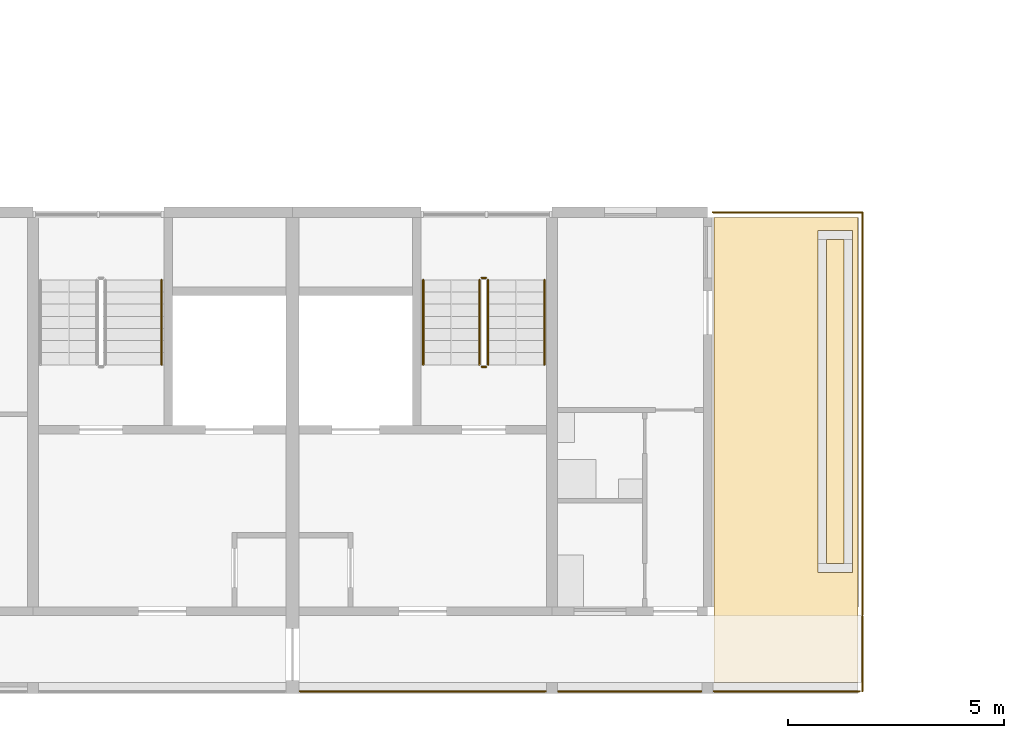
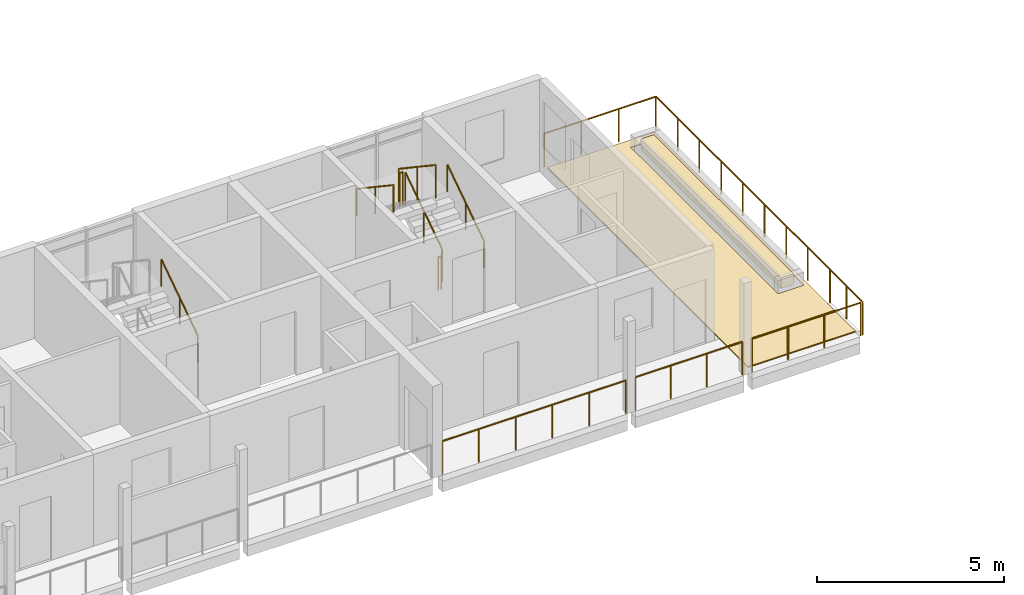
# One storey, part 46 of 55: 12 railings, 3 coverings.
"""IFC4 building model written with IfcOpenShell, lengths in metres."""

import ifcopenshell
import ifcopenshell.guid

model = None  # the IFC model being written
_history = None  # IfcOwnerHistory: only IFC2X3 demands one
_inside = {}  # id of a spatial element -> (the spatial element, [elements in it])
_under = {}  # id of a project, library or spatial element -> (it, [spatial elements below it])
_declared = {}  # id of a project -> (the project, [libraries it declares])
_typed = {}  # id of a type object -> (the type object, [elements of that type])
_made_of = {}  # id of a material, layer set ... -> (it, [elements and type objects made of it])


def new_model(schema):
    """Start an empty IFC model of exactly this schema.

    Asked for "IFC4X3", IfcOpenShell would pick the latest addendum, in which some entities
    have other attributes; the version numbers below select the first issue.
    IFC2X3 requires an IfcOwnerHistory on every rooted entity: one is made here for all.
    """
    global model, _history
    if schema == "IFC4X3":
        model = ifcopenshell.file(schema_version=(4, 3, 0, 0))
    else:
        model = ifcopenshell.file(schema=schema)
    _inside.clear()
    _under.clear()
    _declared.clear()
    _typed.clear()
    _made_of.clear()
    _history = None
    if model.schema == "IFC2X3":
        org = make("IfcOrganization", Name="unknown")
        user = make(
            "IfcPersonAndOrganization",
            ThePerson=make("IfcPerson", FamilyName="unknown"),
            TheOrganization=org,
        )
        app = make(
            "IfcApplication",
            ApplicationDeveloper=org,
            Version="unknown",
            ApplicationFullName="unknown",
            ApplicationIdentifier="unknown",
        )
        _history = make(
            "IfcOwnerHistory",
            OwningUser=user,
            OwningApplication=app,
            ChangeAction="ADDED",
            CreationDate=0,
        )
    return model


def make(cls, **values):
    """One entity of the class cls with the attributes given. An attribute that is None is left unset."""
    return model.create_entity(
        cls, **{name: value for name, value in values.items() if value is not None}
    )


def rooted(cls, **values):
    """An entity with a GlobalId (a new one), such as an element, a storey or a relation."""
    return make(cls, GlobalId=ifcopenshell.guid.new(), OwnerHistory=_history, **values)


def si_unit(unit_type, name, prefix=None):
    """IfcSIUnit, for example si_unit("LENGTHUNIT", "METRE", prefix="MILLI")."""
    return make("IfcSIUnit", UnitType=unit_type, Prefix=prefix, Name=name)


def assignment(units):
    """IfcUnitAssignment: the units of a project."""
    return None if units is None else make("IfcUnitAssignment", Units=units)


def point(xyz):
    """IfcCartesianPoint."""
    return None if xyz is None else make("IfcCartesianPoint", Coordinates=xyz)


def direction(xyz):
    """IfcDirection."""
    return None if xyz is None else make("IfcDirection", DirectionRatios=xyz)


def frame(location, z_axis=None, x_axis=None):
    """IfcAxis2Placement3D, a coordinate frame: its origin and axes. An axis left out is left unset."""
    return make(
        "IfcAxis2Placement3D",
        Location=point(location),
        Axis=direction(z_axis),
        RefDirection=direction(x_axis),
    )


def frame_2d(location, x_axis=None):
    """IfcAxis2Placement2D, a coordinate frame in the plane: its origin and x axis."""
    return make(
        "IfcAxis2Placement2D", Location=point(location), RefDirection=direction(x_axis)
    )


def origin():
    """The frame at (0, 0, 0) with its axes left unset."""
    return frame((0.0, 0.0, 0.0))


def origin_2d():
    """The frame at (0, 0) in the plane with its x axis left unset."""
    return frame_2d((0.0, 0.0))


def place(relative_to, where):
    """IfcLocalPlacement: puts the frame where relative to a parent placement (None: the world)."""
    return make(
        "IfcLocalPlacement", PlacementRelTo=relative_to, RelativePlacement=where
    )


def context(
    kind, dimensions, precision=None, world=None, true_north=None, identifier=None
):
    """IfcGeometricRepresentationContext, for example the 3D "Model" context."""
    return make(
        "IfcGeometricRepresentationContext",
        ContextIdentifier=identifier,
        ContextType=kind,
        CoordinateSpaceDimension=dimensions,
        Precision=precision,
        WorldCoordinateSystem=world,
        TrueNorth=true_north,
    )


def subcontext(parent, identifier, kind, view, scale=None):
    """IfcGeometricRepresentationSubContext, for example "Body" below "Model"."""
    return make(
        "IfcGeometricRepresentationSubContext",
        ContextIdentifier=identifier,
        ContextType=kind,
        ParentContext=parent,
        TargetScale=scale,
        TargetView=view,
    )


def project(units=None, contexts=None):
    """IfcProject with its units and contexts."""
    return rooted(
        "IfcProject",
        Name="project",
        RepresentationContexts=contexts,
        UnitsInContext=assignment(units),
    )


def spatial(cls, under=None, at=None, **own):
    """A site, building, storey or space (cls), placed at a placement, below another one or the project."""
    s = rooted(cls, ObjectPlacement=at, **own)
    if under is not None:
        _under.setdefault(under.id(), (under, []))[1].append(s)
    return s


def polyline(points):
    """IfcPolyline through the points."""
    return make("IfcPolyline", Points=[point(p) for p in points])


def profile(cls, at=None, kind="AREA", **sizes):
    """A parametric profile (cls). Its sizes go by their IFC names, for example OverallWidth=200.0."""
    return make(cls, ProfileType=kind, Position=at, **sizes)


def circle(**sizes):
    """IfcCircleProfileDef."""
    return profile("IfcCircleProfileDef", **sizes)


def outline(outer, holes=None, kind="AREA"):
    """IfcArbitraryClosedProfileDef: a profile drawn as a closed curve; with holes, ...WithVoids."""
    if holes is None:
        return make("IfcArbitraryClosedProfileDef", ProfileType=kind, OuterCurve=outer)
    return make(
        "IfcArbitraryProfileDefWithVoids",
        ProfileType=kind,
        OuterCurve=outer,
        InnerCurves=holes,
    )


def extrude(swept, where, along, depth):
    """IfcExtrudedAreaSolid: the profile swept, set in the frame where, extruded along a direction by depth."""
    return make(
        "IfcExtrudedAreaSolid",
        SweptArea=swept,
        Position=where,
        ExtrudedDirection=direction(along),
        Depth=depth,
    )


def shape(context_of_items, identifier, shape_type, items):
    """IfcShapeRepresentation: the items that make up one representation, for example the "Body"."""
    return make(
        "IfcShapeRepresentation",
        ContextOfItems=context_of_items,
        RepresentationIdentifier=identifier,
        RepresentationType=shape_type,
        Items=items,
    )


def material(Name=None, Category=None):
    """IfcMaterial."""
    return make("IfcMaterial", Name=Name, Category=Category)


def layer(
    of_material, thickness, ventilated=None, Name=None, Category=None, Priority=None
):
    """IfcMaterialLayer: one layer of a wall or slab, of a material (None: an air gap)."""
    return make(
        "IfcMaterialLayer",
        Material=of_material,
        LayerThickness=thickness,
        IsVentilated=ventilated,
        Name=Name,
        Category=Category,
        Priority=Priority,
    )


def layer_set(layers, Name=None):
    """IfcMaterialLayerSet."""
    return make("IfcMaterialLayerSet", MaterialLayers=layers, LayerSetName=Name)


def made_of(thing, what):
    """Note that an element or type object is made of a material, layer set ...; save() writes the relation."""
    if what is not None:
        _made_of.setdefault(what.id(), (what, []))[1].append(thing)
    return thing


def type_object(cls, material=None, **own):
    """A type object (cls), such as IfcWallType, which elements share."""
    return made_of(rooted(cls, **own), material)


def element(
    cls,
    number,
    at=None,
    inside=None,
    cuts=None,
    type_object=None,
    material=None,
    context=None,
    identifier="Body",
    shape_type=None,
    held_by="IfcProductDefinitionShape",
    body=None,
    shapes=None,
    **own,
):
    """One element of the class cls, such as IfcWall. Its Tag is "e" and its number.

    at: its placement. inside: the storey or other place that contains it. cuts: it is an
    opening in that element (IfcRelVoidsElement). A single representation is given by context,
    identifier, shape_type and body (its items); several are given by shapes. held_by: the class
    of the entity that holds the representations. save() writes the other relations.
    """
    e = rooted(cls, Tag="e%d" % number, ObjectPlacement=at, **own)
    if body is not None:
        shapes = [shape(context, identifier, shape_type, body)]
    if shapes is not None:
        e.Representation = make(held_by, Representations=shapes)
    if inside is not None:
        _inside.setdefault(inside.id(), (inside, []))[1].append(e)
    if cuts is not None:
        rooted(
            "IfcRelVoidsElement", RelatingBuildingElement=cuts, RelatedOpeningElement=e
        )
    if type_object is not None:
        _typed.setdefault(type_object.id(), (type_object, []))[1].append(e)
    return made_of(e, material)


def aggregate(whole, parts):
    """IfcRelAggregates: a whole, such as a stair, and the parts it consists of."""
    return rooted("IfcRelAggregates", RelatingObject=whole, RelatedObjects=parts)


def save(model, path):
    """Write the relations noted so far, then the file.

    IfcRelAggregates (storeys below a building ...), IfcRelContainedInSpatialStructure (elements
    in a storey), IfcRelDefinesByType, IfcRelAssociatesMaterial and IfcRelDeclares: one each for
    every whole, place, type object, material and project.
    """
    for whole, parts in _under.values():
        aggregate(whole, parts)
    for where, things in _inside.values():
        rooted(
            "IfcRelContainedInSpatialStructure",
            RelatedElements=things,
            RelatingStructure=where,
        )
    for kind, things in _typed.values():
        rooted("IfcRelDefinesByType", RelatedObjects=things, RelatingType=kind)
    for what, things in _made_of.values():
        rooted("IfcRelAssociatesMaterial", RelatedObjects=things, RelatingMaterial=what)
    for by, libraries in _declared.values():
        rooted("IfcRelDeclares", RelatingContext=by, RelatedDefinitions=libraries)
    model.write(path)


model = new_model("IFC4")

# Units and contexts
model_context = context("Model", 3, precision=1e-05, world=origin(), true_north=direction((0.0, 1.0)))
body_context = subcontext(model_context, "Body", "Model", "MODEL_VIEW")
ifc_project = project(units=[si_unit("LENGTHUNIT", "METRE"), si_unit("AREAUNIT", "SQUARE_METRE"), si_unit("VOLUMEUNIT", "CUBIC_METRE"), si_unit("PLANEANGLEUNIT", "RADIAN"), si_unit("MASSUNIT", "GRAM", prefix="KILO")], contexts=[model_context])

# Site, building, storey
site_placement = place(None, origin())
site = spatial("IfcSite", under=ifc_project, at=site_placement, CompositionType="ELEMENT")
building_placement = place(site_placement, origin())
building = spatial("IfcBuilding", under=site, at=building_placement, Name="Ridgestep Commons", CompositionType="ELEMENT")
storey_placement = place(building_placement, frame((0.0, 0.0, 36.0)))
storey = spatial("IfcBuildingStorey", under=building, at=storey_placement, Name="L12", CompositionType="ELEMENT", Elevation=36.0)

# Railings
ifc_material_1 = material(Name="Structural steel S355JR", Category="steel")
railing_type_1 = type_object("IfcRailingType", Name="Guard 1100", PredefinedType="GUARDRAIL", material=ifc_material_1)
railing_1_placement = place(storey_placement, frame((109.178955078125, 13.571044921875, 0.0)))
element("IfcRailing", 1, at=railing_1_placement, inside=storey, type_object=railing_type_1, Name="Guard TD-A6R2-GD", PredefinedType="GUARDRAIL", context=body_context, shape_type="SweptSolid", body=[
    extrude(circle(Radius=0.02392578125, at=origin_2d()), frame((0.0, 0.0, 1.076171875), z_axis=(0.0, 1.0, 0.0), x_axis=(-1.0, 0.0, 0.0)), (0.0, 0.0, 1.0), 9.303955078125),
    extrude(circle(Radius=0.02392578125, at=origin_2d()), frame((0.0, 9.303955078125, 1.076171875), z_axis=(-1.0, 0.0, 0.0), x_axis=(0.0, -1.0, 0.0)), (0.0, 0.0, 1.0), 3.4580078125),
    extrude(circle(Radius=0.02099609375, at=origin_2d()), origin(), (0.0, 0.0, 1.0), 1.052001953125),
    extrude(circle(Radius=0.02099609375, at=origin_2d()), frame((0.0, 1.1630859375, 0.0)), (0.0, 0.0, 1.0), 1.052001953125),
    extrude(circle(Radius=0.02099609375, at=origin_2d()), frame((0.0, 2.325927734375, 0.0)), (0.0, 0.0, 1.0), 1.052001953125),
    extrude(circle(Radius=0.02099609375, at=origin_2d()), frame((0.0, 3.489013671875, 0.0)), (0.0, 0.0, 1.0), 1.052001953125),
    extrude(circle(Radius=0.02099609375, at=origin_2d()), frame((0.0, 4.65185546875, 0.0)), (0.0, 0.0, 1.0), 1.052001953125),
    extrude(circle(Radius=0.02099609375, at=origin_2d()), frame((0.0, 5.81494140625, 0.0)), (0.0, 0.0, 1.0), 1.052001953125),
    extrude(circle(Radius=0.02099609375, at=origin_2d()), frame((0.0, 6.97802734375, 0.0)), (0.0, 0.0, 1.0), 1.052001953125),
    extrude(circle(Radius=0.02099609375, at=origin_2d()), frame((0.0, 8.140869140625, 0.0)), (0.0, 0.0, 1.0), 1.052001953125),
    extrude(circle(Radius=0.02099609375, at=origin_2d()), frame((0.0, 9.303955078125, 0.0)), (0.0, 0.0, 1.0), 1.052001953125),
    extrude(circle(Radius=0.02099609375, at=origin_2d()), frame((-1.152587890625, 9.303955078125, 0.0)), (0.0, 0.0, 1.0), 1.052001953125),
    extrude(circle(Radius=0.02099609375, at=origin_2d()), frame((-2.305419921875, 9.303955078125, 0.0)), (0.0, 0.0, 1.0), 1.052001953125),
    extrude(circle(Radius=0.02099609375, at=origin_2d()), frame((-3.4580078125, 9.303955078125, 0.0)), (0.0, 0.0, 1.0), 1.052001953125),
])
railing_2_placement = place(storey_placement, frame((96.1708984375, 11.800048828125, 0.0)))
element("IfcRailing", 2, at=railing_2_placement, inside=storey, type_object=railing_type_1, Name="Gallery guard A 12.7", PredefinedType="GUARDRAIL", context=body_context, shape_type="SweptSolid", body=[
    extrude(circle(Radius=0.02392578125, at=origin_2d()), frame((0.0, 0.0, 1.076171875), z_axis=(1.0, 0.0, 0.0), x_axis=(0.0, 1.0, 0.0)), (0.0, 0.0, 1.0), 5.68310546875),
    extrude(circle(Radius=0.02099609375, at=origin_2d()), origin(), (0.0, 0.0, 1.0), 1.052001953125),
    extrude(circle(Radius=0.02099609375, at=origin_2d()), frame((1.13671875, 0.0, 0.0)), (0.0, 0.0, 1.0), 1.052001953125),
    extrude(circle(Radius=0.02099609375, at=origin_2d()), frame((2.273193359375, 0.0, 0.0)), (0.0, 0.0, 1.0), 1.052001953125),
    extrude(circle(Radius=0.02099609375, at=origin_2d()), frame((3.409912109375, 0.0, 0.0)), (0.0, 0.0, 1.0), 1.052001953125),
    extrude(circle(Radius=0.02099609375, at=origin_2d()), frame((4.54638671875, 0.0, 0.0)), (0.0, 0.0, 1.0), 1.052001953125),
    extrude(circle(Radius=0.02099609375, at=origin_2d()), frame((5.68310546875, 0.0, 0.0)), (0.0, 0.0, 1.0), 1.052001953125),
])
railing_3_placement = place(storey_placement, frame((102.14599609375, 11.800048828125, 0.0)))
element("IfcRailing", 3, at=railing_3_placement, inside=storey, type_object=railing_type_1, Name="Gallery guard A 12.8", PredefinedType="GUARDRAIL", context=body_context, shape_type="SweptSolid", body=[
    extrude(circle(Radius=0.02392578125, at=origin_2d()), frame((0.0, 0.0, 1.076171875), z_axis=(1.0, 0.0, 0.0), x_axis=(0.0, 1.0, 0.0)), (0.0, 0.0, 1.0), 3.30810546875),
    extrude(circle(Radius=0.02099609375, at=origin_2d()), origin(), (0.0, 0.0, 1.0), 1.052001953125),
    extrude(circle(Radius=0.02099609375, at=origin_2d()), frame((1.102783203125, 0.0, 0.0)), (0.0, 0.0, 1.0), 1.052001953125),
    extrude(circle(Radius=0.02099609375, at=origin_2d()), frame((2.205322265625, 0.0, 0.0)), (0.0, 0.0, 1.0), 1.052001953125),
    extrude(circle(Radius=0.02099609375, at=origin_2d()), frame((3.30810546875, 0.0, 0.0)), (0.0, 0.0, 1.0), 1.052001953125),
])
railing_4_placement = place(storey_placement, frame((105.74609375, 11.800048828125, 0.0)))
element("IfcRailing", 4, at=railing_4_placement, inside=storey, type_object=railing_type_1, Name="Gallery guard A 12.9", PredefinedType="GUARDRAIL", context=body_context, shape_type="SweptSolid", body=[
    extrude(circle(Radius=0.02392578125, at=origin_2d()), frame((0.0, 0.0, 1.076171875), z_axis=(1.0, 0.0, 0.0), x_axis=(0.0, 1.0, 0.0)), (0.0, 0.0, 1.0), 3.369873046875),
    extrude(circle(Radius=0.02099609375, at=origin_2d()), origin(), (0.0, 0.0, 1.0), 1.052001953125),
    extrude(circle(Radius=0.02099609375, at=origin_2d()), frame((1.123291015625, 0.0, 0.0)), (0.0, 0.0, 1.0), 1.052001953125),
    extrude(circle(Radius=0.02099609375, at=origin_2d()), frame((2.24658203125, 0.0, 0.0)), (0.0, 0.0, 1.0), 1.052001953125),
    extrude(circle(Radius=0.02099609375, at=origin_2d()), frame((3.369873046875, 0.0, 0.0)), (0.0, 0.0, 1.0), 1.052001953125),
])
railing_5_placement = place(storey_placement, frame((109.178955078125, 11.800048828125, 0.0)))
element("IfcRailing", 5, at=railing_5_placement, inside=storey, type_object=railing_type_1, Name="Gallery end guard A 12.9E", PredefinedType="GUARDRAIL", context=body_context, shape_type="SweptSolid", body=[
    extrude(circle(Radius=0.02392578125, at=origin_2d()), frame((0.0, 0.0, 1.076171875), z_axis=(0.0, 1.0, 0.0), x_axis=(-1.0, 0.0, 0.0)), (0.0, 0.0, 1.0), 1.72900390625),
    extrude(circle(Radius=0.02099609375, at=origin_2d()), origin(), (0.0, 0.0, 1.0), 1.052001953125),
    extrude(circle(Radius=0.02099609375, at=origin_2d()), frame((0.0, 0.864501953125, 0.0)), (0.0, 0.0, 1.0), 1.052001953125),
    extrude(circle(Radius=0.02099609375, at=origin_2d()), frame((0.0, 1.72900390625, 0.0)), (0.0, 0.0, 1.0), 1.052001953125),
])

# Covering
ifc_material_2 = material(Name="Planting soil")
ifc_layer_1 = layer(ifc_material_2, 0.35009765625)
ifc_layer_set_1 = layer_set([ifc_layer_1], Name="Planting soil 350")
covering_type_1 = type_object("IfcCoveringType", Name="Planting soil 350", PredefinedType="FLOORING", material=ifc_layer_set_1)
covering_1_placement = place(storey_placement, frame((0.0, 0.0, 0.010009765625)))
element("IfcCovering", 6, at=covering_1_placement, inside=storey, type_object=covering_type_1, Name="Planting soil A6R2", PredefinedType="FLOORING", context=body_context, shape_type="SweptSolid", body=[
    extrude(outline(polyline([(108.35009765625, 14.75), (108.75, 14.75), (108.75, 22.25), (108.35009765625, 22.25), (108.35009765625, 14.75)])), origin(), (0.0, 0.0, 1.0), 0.35009765625),
])

# Railings
ifc_material_3 = material(Name="Structural steel S355JR", Category="steel")
railing_type_2 = type_object("IfcRailingType", Name="Stair guard 1100", PredefinedType="GUARDRAIL", material=ifc_material_3)
railing_6_placement = place(storey_placement, frame((100.52490234375, 19.35009765625, 0.1875)))
element("IfcRailing", 7, at=railing_6_placement, inside=storey, type_object=railing_type_2, Name="L12 A6C stair guard 1", PredefinedType="GUARDRAIL", context=body_context, shape_type="SweptSolid", body=[
    extrude(circle(Radius=0.02392578125, at=origin_2d()), frame((0.0, 0.0, 1.076171875), z_axis=(0.0, 0.830902050051, 0.556418712142), x_axis=(-1.0, 0.0, 0.0)), (0.0, 0.0, 1.0), 2.35888671875),
    extrude(circle(Radius=0.02099609375, at=origin_2d()), origin(), (0.0, 0.0, 1.0), 1.052001953125),
    extrude(circle(Radius=0.02099609375, at=origin_2d()), frame((0.0, 0.97998046875, 0.65625)), (0.0, 0.0, 1.0), 1.052001953125),
    extrude(circle(Radius=0.02099609375, at=origin_2d()), frame((0.0, 1.9599609375, 1.3125)), (0.0, 0.0, 1.0), 1.052001953125),
])
railing_7_placement = place(storey_placement, frame((100.47509765625, 21.360107421875, 1.5)))
element("IfcRailing", 8, at=railing_7_placement, inside=storey, type_object=railing_type_2, Name="L12 A6C stair guard 2", PredefinedType="GUARDRAIL", context=body_context, shape_type="SweptSolid", body=[
    extrude(circle(Radius=0.02392578125, at=origin_2d()), frame((0.0, 0.0, 1.076171875), z_axis=(-1.0, 0.0, 0.0), x_axis=(0.0, -1.0, 0.0)), (0.0, 0.0, 1.0), 0.10009765625),
    extrude(circle(Radius=0.02099609375, at=origin_2d()), origin(), (0.0, 0.0, 1.0), 1.052001953125),
    extrude(circle(Radius=0.02099609375, at=origin_2d()), frame((-0.10009765625, 0.0, 0.0)), (0.0, 0.0, 1.0), 1.052001953125),
])
railing_8_placement = place(storey_placement, frame((100.324951171875, 21.31005859375, 1.6875)))
element("IfcRailing", 9, at=railing_8_placement, inside=storey, type_object=railing_type_2, Name="L12 A6C stair guard 3", PredefinedType="GUARDRAIL", context=body_context, shape_type="SweptSolid", body=[
    extrude(circle(Radius=0.02392578125, at=origin_2d()), frame((0.0, 0.0, 1.076171875), z_axis=(0.0, -0.830902050051, 0.556418712142), x_axis=(1.0, 0.0, 0.0)), (0.0, 0.0, 1.0), 2.35888671875),
    extrude(circle(Radius=0.02099609375, at=origin_2d()), origin(), (0.0, 0.0, 1.0), 1.052001953125),
    extrude(circle(Radius=0.02099609375, at=origin_2d()), frame((0.0, -0.97998046875, 0.65625)), (0.0, 0.0, 1.0), 1.052001953125),
    extrude(circle(Radius=0.02099609375, at=origin_2d()), frame((0.0, -1.9599609375, 1.3125)), (0.0, 0.0, 1.0), 1.052001953125),
])
railing_9_placement = place(storey_placement, frame((100.47509765625, 19.300048828125, 0.0)))
element("IfcRailing", 10, at=railing_9_placement, inside=storey, type_object=railing_type_2, Name="L12 A6C stair guard 4", PredefinedType="GUARDRAIL", context=body_context, shape_type="SweptSolid", body=[
    extrude(circle(Radius=0.02392578125, at=origin_2d()), frame((0.0, 0.0, 1.076171875), z_axis=(-1.0, 0.0, 0.0), x_axis=(0.0, -1.0, 0.0)), (0.0, 0.0, 1.0), 0.10009765625),
    extrude(circle(Radius=0.02099609375, at=origin_2d()), origin(), (0.0, 0.0, 1.0), 1.052001953125),
    extrude(circle(Radius=0.02099609375, at=origin_2d()), frame((-0.10009765625, 0.0, 0.0)), (0.0, 0.0, 1.0), 1.052001953125),
])
ifc_material_4 = material(Name="Structural steel S355JR", Category="steel")
railing_type_3 = type_object("IfcRailingType", Name="Stair handrail 900", PredefinedType="HANDRAIL", material=ifc_material_4)
for number, where, name in (
    (11, (92.97509765625, 19.35009765625, 0.1875), "L12 A5C stair handrail 1"),
    (12, (101.824951171875, 19.35009765625, 0.1875), "L12 A6C stair handrail 1"),
):
    element("IfcRailing", number, at=place(storey_placement, frame(where)), inside=storey, type_object=railing_type_3, Name=name, PredefinedType="HANDRAIL", context=body_context, shape_type="SweptSolid", body=[
        extrude(circle(Radius=0.02392578125, at=origin_2d()), frame((0.0, 0.0, 0.8759765625), z_axis=(0.0, 0.830902050051, 0.556418712142), x_axis=(-1.0, 0.0, 0.0)), (0.0, 0.0, 1.0), 2.35888671875),
        extrude(circle(Radius=0.02099609375, at=origin_2d()), origin(), (0.0, 0.0, 1.0), 0.851806640625),
        extrude(circle(Radius=0.02099609375, at=origin_2d()), frame((0.0, 0.97998046875, 0.65625)), (0.0, 0.0, 1.0), 0.851806640625),
        extrude(circle(Radius=0.02099609375, at=origin_2d()), frame((0.0, 1.9599609375, 1.3125)), (0.0, 0.0, 1.0), 0.851806640625),
    ])
railing_10_placement = place(storey_placement, frame((99.02490234375, 21.31005859375, 1.6875)))
element("IfcRailing", 13, at=railing_10_placement, inside=storey, type_object=railing_type_3, Name="L12 A6C stair handrail 2", PredefinedType="HANDRAIL", context=body_context, shape_type="SweptSolid", body=[
    extrude(circle(Radius=0.02392578125, at=origin_2d()), frame((0.0, 0.0, 0.8759765625), z_axis=(0.0, -0.830902050051, 0.556418712142), x_axis=(1.0, 0.0, 0.0)), (0.0, 0.0, 1.0), 2.35888671875),
    extrude(circle(Radius=0.02099609375, at=origin_2d()), origin(), (0.0, 0.0, 1.0), 0.851806640625),
    extrude(circle(Radius=0.02099609375, at=origin_2d()), frame((0.0, -0.97998046875, 0.65625)), (0.0, 0.0, 1.0), 0.851806640625),
    extrude(circle(Radius=0.02099609375, at=origin_2d()), frame((0.0, -1.9599609375, 1.3125)), (0.0, 0.0, 1.0), 0.851806640625),
])

# Coverings
ifc_material_5 = material(Name="Bitumen membrane, two layer")
ifc_layer_2 = layer(ifc_material_5, 0.010009765625)
ifc_layer_set_2 = layer_set([ifc_layer_2], Name="Terrace membrane 10")
covering_type_2 = type_object("IfcCoveringType", Name="Terrace membrane 10", PredefinedType="ROOFING", material=ifc_layer_set_2)
covering_2_placement = place(storey_placement, origin())
element("IfcCovering", 14, at=covering_2_placement, inside=storey, type_object=covering_type_2, Name="Terrace membrane A6R2", PredefinedType="ROOFING", context=body_context, shape_type="SweptSolid", body=[
    extrude(outline(polyline([(109.074951171875, 12.0), (109.074951171875, 22.75), (105.75, 22.75), (105.75, 12.0), (109.074951171875, 12.0)]), holes=[polyline([(108.949951171875, 14.550048828125), (108.949951171875, 22.449951171875), (108.14990234375, 22.449951171875), (108.14990234375, 14.550048828125), (108.949951171875, 14.550048828125)])]), origin(), (0.0, 0.0, 1.0), 0.010009765625),
])
ifc_material_6 = material(Name="Concrete paving slab", Category="concrete")
ifc_layer_3 = layer(ifc_material_6, 0.030029296875)
ifc_layer_set_3 = layer_set([ifc_layer_3], Name="Terrace paving 30")
covering_type_3 = type_object("IfcCoveringType", Name="Terrace paving 30", PredefinedType="FLOORING", material=ifc_layer_set_3)
covering_3_placement = place(storey_placement, frame((0.0, 0.0, 0.010009765625)))
element("IfcCovering", 15, at=covering_3_placement, inside=storey, type_object=covering_type_3, Name="Terrace paving A6R2", PredefinedType="FLOORING", context=body_context, shape_type="SweptSolid", body=[
    extrude(outline(polyline([(109.074951171875, 12.0), (109.074951171875, 22.75), (105.75, 22.75), (105.75, 12.0), (109.074951171875, 12.0)]), holes=[polyline([(108.949951171875, 14.550048828125), (108.949951171875, 22.449951171875), (108.14990234375, 22.449951171875), (108.14990234375, 14.550048828125), (108.949951171875, 14.550048828125)])]), origin(), (0.0, 0.0, 1.0), 0.030029296875),
])

save(model, "model.ifc")
